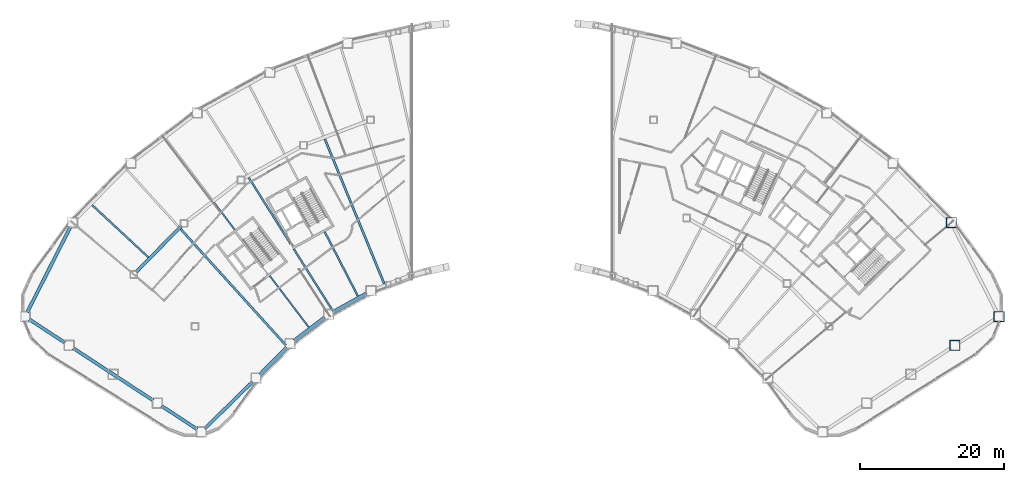
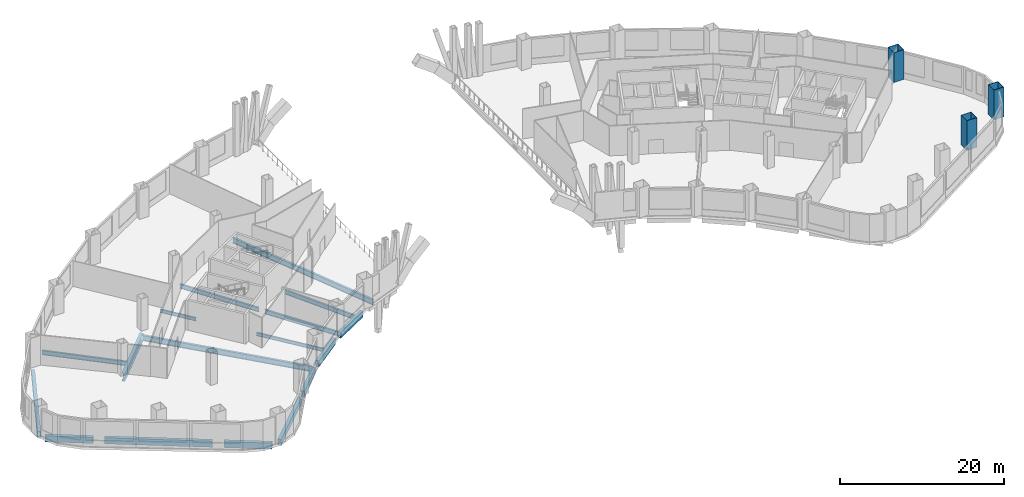
# One storey, part 2 of 14: 17 beams, 3 columns.
"""IFC4 building model written with IfcOpenShell, lengths in metres."""

from ifc_helpers import new_model, si_unit, direction, frame, origin, origin_2d, place, context, subcontext, project, spatial, hollow_rectangle, i_section, extrude, material, material_profile, profile_set, type_object, element, save


model = new_model("IFC4")

# Units and contexts
model_context = context("Model", 3, precision=1e-05, world=origin(), true_north=direction((0.0, 1.0)))
body_context = subcontext(model_context, "Body", "Model", "MODEL_VIEW")
ifc_project = project(units=[si_unit("LENGTHUNIT", "METRE"), si_unit("AREAUNIT", "SQUARE_METRE"), si_unit("VOLUMEUNIT", "CUBIC_METRE"), si_unit("PLANEANGLEUNIT", "RADIAN"), si_unit("MASSUNIT", "GRAM", prefix="KILO")], contexts=[model_context])

# Site, building, storey
site_placement = place(None, origin())
site = spatial("IfcSite", under=ifc_project, at=site_placement, CompositionType="ELEMENT")
building_placement = place(site_placement, origin())
building = spatial("IfcBuilding", under=site, at=building_placement, Name="Tuul Gate Civic Tower", CompositionType="ELEMENT")
storey_placement = place(building_placement, frame((0.0, 0.0, 17.10009765625)))
storey = spatial("IfcBuildingStorey", under=building, at=storey_placement, Name="Level 03", CompositionType="ELEMENT", Elevation=17.10009765625)

# Columns
ifc_material_1 = material(Name="Steel S355", Category="steel")
ifc_material_profile_1 = material_profile(ifc_material_1, hollow_rectangle(XDim=1.39990234375, YDim=1.39990234375, WallThickness=0.0400390625, at=origin_2d()), Name="BOX1400x1400x40")
ifc_profile_set_1 = profile_set([ifc_material_profile_1], Name="Steel S355")
column_type = type_object("IfcColumnType", Name="STR-COLUMN-BOX1400x1400x40", PredefinedType="COLUMN", material=ifc_profile_set_1)
for number, where, z_axis, x_axis, name in (
    (1, (67.56201171875, -21.366943359375, 0.0), (0.0, 0.0, 1.0), (1.0, 0.0, 0.0), "Column"),
    (2, (60.9609375, -8.327880859375, 0.0), (0.0, 0.0, 1.0), (1.0, 0.0, 0.0), "Column"),
    (3, (61.447021484375, -25.368896484375, 0.0), (0.0, 0.0, 1.0), (1.0, 0.0, 0.0), "Column"),
):
    element("IfcColumn", number, at=place(storey_placement, frame(where, z_axis=z_axis, x_axis=x_axis)), inside=storey, type_object=column_type, Name=name, PredefinedType="COLUMN", context=body_context, shape_type="SweptSolid", body=[
        extrude(hollow_rectangle(XDim=1.39990234375, YDim=1.39990234375, WallThickness=0.0400390625, at=origin_2d()), origin(), (0.0, 0.0, 1.0), 4.449951171875),
    ])

# Beams
ifc_material_2 = material(Name="Steel S355", Category="steel")
ifc_material_profile_2 = material_profile(ifc_material_2, i_section(OverallWidth=0.199951171875, OverallDepth=0.5, WebThickness=0.010009765625, FlangeThickness=0.01611328125, at=origin_2d()), Name="PG500x200x10x16")
ifc_profile_set_2 = profile_set([ifc_material_profile_2], Name="Steel S355")
beam_type_1 = type_object("IfcBeamType", Name="STR-FLOOR BEAM-PG500x200x10x16", PredefinedType="BEAM", material=ifc_profile_set_2)
beam_1_placement = place(storey_placement, frame((-28.20361328125, -22.83447265625, -0.60009765625), z_axis=(-0.604507057629, 0.796599784884, 0.0), x_axis=(-0.796599784884, -0.604507057629, 0.0)))
element("IfcBeam", 4, at=beam_1_placement, inside=storey, type_object=beam_type_1, Name="Floor beam", PredefinedType="BEAM", context=body_context, shape_type="SweptSolid", body=[
    extrude(i_section(OverallWidth=0.199951171875, OverallDepth=0.5, WebThickness=0.010009765625, FlangeThickness=0.01611328125, at=origin_2d()), origin(), (0.0, 0.0, 1.0), 8.951416015625),
])
beam_2_placement = place(storey_placement, frame((-38.45068359375, -9.3310546875, -0.60009765625), z_axis=(-0.604539816506, 0.796574924448, 0.0), x_axis=(-0.796574924448, -0.604539816506, 0.0)))
element("IfcBeam", 5, at=beam_2_placement, inside=storey, type_object=beam_type_1, Name="Floor beam", PredefinedType="BEAM", context=body_context, shape_type="SweptSolid", body=[
    extrude(i_section(OverallWidth=0.199951171875, OverallDepth=0.5, WebThickness=0.010009765625, FlangeThickness=0.01611328125, at=origin_2d()), origin(), (0.0, 0.0, 1.0), 4.77392578125),
])
ifc_material_3 = material(Name="Steel S355", Category="steel")
ifc_material_profile_3 = material_profile(ifc_material_3, i_section(OverallWidth=0.25, OverallDepth=0.64990234375, WebThickness=0.011962890625, FlangeThickness=0.02001953125, at=origin_2d()), Name="PG650x250x12x20")
ifc_profile_set_3 = profile_set([ifc_material_profile_3], Name="Steel S355")
beam_type_2 = type_object("IfcBeamType", Name="STR-FLOOR BEAM-PG650x250x12x20", PredefinedType="BEAM", material=ifc_profile_set_3)
beam_3_placement = place(storey_placement, frame((-21.390380859375, -18.512939453125, -0.675048828125), z_axis=(-0.458274716769, 0.88881060073, 0.0), x_axis=(-0.88881060073, -0.458274716769, 0.0)))
element("IfcBeam", 6, at=beam_3_placement, inside=storey, type_object=beam_type_2, Name="Floor beam", PredefinedType="BEAM", context=body_context, shape_type="SweptSolid", body=[
    extrude(i_section(OverallWidth=0.25, OverallDepth=0.64990234375, WebThickness=0.011962890625, FlangeThickness=0.02001953125, at=origin_2d()), origin(), (0.0, 0.0, 1.0), 10.03369140625),
])
beam_4_placement = place(storey_placement, frame((-24.9248046875, -20.47265625, -0.675048828125), z_axis=(-0.53338296173, 0.845873877204, 0.0), x_axis=(-0.845873877204, -0.53338296173, 0.0)))
element("IfcBeam", 7, at=beam_4_placement, inside=storey, type_object=beam_type_2, Name="Floor beam", PredefinedType="BEAM", context=body_context, shape_type="SweptSolid", body=[
    extrude(i_section(OverallWidth=0.25, OverallDepth=0.64990234375, WebThickness=0.011962890625, FlangeThickness=0.02001953125, at=origin_2d()), origin(), (0.0, 0.0, 1.0), 10.045654296875),
])
beam_5_placement = place(storey_placement, frame((-30.72509765625, -11.2744140625, -0.675048828125), z_axis=(-0.533383609524, 0.845873468724, 0.0), x_axis=(-0.845873468724, -0.533383609524, 0.0)))
element("IfcBeam", 8, at=beam_5_placement, inside=storey, type_object=beam_type_2, Name="Floor beam", PredefinedType="BEAM", context=body_context, shape_type="SweptSolid", body=[
    extrude(i_section(OverallWidth=0.25, OverallDepth=0.64990234375, WebThickness=0.011962890625, FlangeThickness=0.02001953125, at=origin_2d()), origin(), (0.0, 0.0, 1.0), 10.885498046875),
])
beam_6_placement = place(storey_placement, frame((-50.448974609375, -13.139404296875, -0.675048828125), z_axis=(-0.732685493637, 0.680567386387, 0.0), x_axis=(-0.680567386387, -0.732685493637, 0.0)))
element("IfcBeam", 9, at=beam_6_placement, inside=storey, type_object=beam_type_2, Name="Floor beam", PredefinedType="BEAM", context=body_context, shape_type="SweptSolid", body=[
    extrude(i_section(OverallWidth=0.25, OverallDepth=0.64990234375, WebThickness=0.011962890625, FlangeThickness=0.02001953125, at=origin_2d()), origin(), (0.0, 0.0, 1.0), 10.62890625),
])
ifc_material_4 = material(Name="Steel S355", Category="steel")
ifc_material_profile_4 = material_profile(ifc_material_4, i_section(OverallWidth=0.300048828125, OverallDepth=0.800048828125, WebThickness=0.013916015625, FlangeThickness=0.02490234375, at=origin_2d()), Name="PG800x300x14x25")
ifc_profile_set_4 = profile_set([ifc_material_profile_4], Name="Steel S355")
beam_type_3 = type_object("IfcBeamType", Name="STR-FLOOR BEAM-PG800x300x14x25", PredefinedType="BEAM", material=ifc_profile_set_4)
beam_7_placement = place(storey_placement, frame((-17.722900390625, -16.822021484375, -0.75), z_axis=(-0.379711671586, 0.925104884033, 0.0), x_axis=(-0.925104884033, -0.379711671586, 0.0)))
element("IfcBeam", 10, at=beam_7_placement, inside=storey, type_object=beam_type_3, Name="Floor beam", PredefinedType="BEAM", context=body_context, shape_type="SweptSolid", body=[
    extrude(i_section(OverallWidth=0.300048828125, OverallDepth=0.800048828125, WebThickness=0.013916015625, FlangeThickness=0.02490234375, at=origin_2d()), origin(), (0.0, 0.0, 1.0), 21.7333984375),
])
beam_8_placement = place(storey_placement, frame((-31.366455078125, -25.35009765625, -0.75), z_axis=(-0.671111274621, 0.741356632854, 0.0), x_axis=(-0.741356632854, -0.671111274621, 0.0)))
element("IfcBeam", 11, at=beam_8_placement, inside=storey, type_object=beam_type_3, Name="Floor beam", PredefinedType="BEAM", context=body_context, shape_type="SweptSolid", body=[
    extrude(i_section(OverallWidth=0.300048828125, OverallDepth=0.800048828125, WebThickness=0.013916015625, FlangeThickness=0.02490234375, at=origin_2d()), origin(), (0.0, 0.0, 1.0), 21.763916015625),
])
ifc_material_5 = material(Name="Steel S355", Category="steel")
ifc_material_profile_5 = material_profile(ifc_material_5, i_section(OverallWidth=0.449951171875, OverallDepth=1.199951171875, WebThickness=0.02001953125, FlangeThickness=0.0400390625, at=origin_2d()), Name="PG1200x450x20x40")
ifc_profile_set_5 = profile_set([ifc_material_profile_5], Name="Steel S355")
beam_type_4 = type_object("IfcBeamType", Name="STR-RING BEAM-PG1200x450x20x40", PredefinedType="BEAM", material=ifc_profile_set_5)
beam_9_placement = place(storey_placement, frame((-52.121337890625, -15.1669921875, -0.9501953125), z_axis=(0.700011333418, 0.714131733706, 0.0), x_axis=(-0.714131733706, 0.700011333418, 0.0)))
element("IfcBeam", 12, at=beam_9_placement, inside=storey, type_object=beam_type_4, Name="Ring girder", PredefinedType="BEAM", context=body_context, shape_type="SweptSolid", body=[
    extrude(i_section(OverallWidth=0.449951171875, OverallDepth=1.199951171875, WebThickness=0.02001953125, FlangeThickness=0.0400390625, at=origin_2d()), origin(), (0.0, 0.0, 1.0), 8.93896484375),
])
ifc_material_6 = material(Name="Steel S355", Category="steel")
ifc_material_profile_6 = material_profile(ifc_material_6, hollow_rectangle(XDim=0.449951171875, YDim=0.89990234375, WallThickness=0.02490234375, at=origin_2d()), Name="BOX900x450x25")
ifc_profile_set_6 = profile_set([ifc_material_profile_6], Name="Steel S355")
beam_type_5 = type_object("IfcBeamType", Name="STR-SPANDREL BEAM-BOX900x450x25", PredefinedType="BEAM", material=ifc_profile_set_6)
beam_10_placement = place(storey_placement, frame((-61.277099609375, -8.95263671875, -0.800048828125), z_axis=(-0.451678979782, -0.892180530623, 0.0), x_axis=(0.892180530623, -0.451678979782, 0.0)))
element("IfcBeam", 13, at=beam_10_placement, inside=storey, type_object=beam_type_5, Name="Spandrel beam", PredefinedType="BEAM", context=body_context, shape_type="SweptSolid", body=[
    extrude(hollow_rectangle(XDim=0.449951171875, YDim=0.89990234375, WallThickness=0.02490234375, at=origin_2d()), origin(), (0.0, 0.0, 1.0), 13.214599609375),
])
beam_11_placement = place(storey_placement, frame((-66.976318359375, -21.750244140625, -0.800048828125), z_axis=(0.836737319566, -0.547604472265, 0.0), x_axis=(0.547604472265, 0.836737319566, 0.0)))
element("IfcBeam", 14, at=beam_11_placement, inside=storey, type_object=beam_type_5, Name="Spandrel beam", PredefinedType="BEAM", context=body_context, shape_type="SweptSolid", body=[
    extrude(hollow_rectangle(XDim=0.449951171875, YDim=0.89990234375, WallThickness=0.02490234375, at=origin_2d()), origin(), (0.0, 0.0, 1.0), 5.908203125),
])
beam_12_placement = place(storey_placement, frame((-60.861328125, -25.752197265625, -0.800048828125), z_axis=(0.836741071493, -0.547598739294, 0.0), x_axis=(0.547598739294, 0.836741071493, 0.0)))
element("IfcBeam", 15, at=beam_12_placement, inside=storey, type_object=beam_type_5, Name="Spandrel beam", PredefinedType="BEAM", context=body_context, shape_type="SweptSolid", body=[
    extrude(hollow_rectangle(XDim=0.449951171875, YDim=0.89990234375, WallThickness=0.02490234375, at=origin_2d()), origin(), (0.0, 0.0, 1.0), 13.215087890625),
])
beam_13_placement = place(storey_placement, frame((-48.63232421875, -33.75537109375, -0.800048828125), z_axis=(0.836737319566, -0.547604472265, 0.0), x_axis=(0.547604472265, 0.836737319566, 0.0)))
element("IfcBeam", 16, at=beam_13_placement, inside=storey, type_object=beam_type_5, Name="Spandrel beam", PredefinedType="BEAM", context=body_context, shape_type="SweptSolid", body=[
    extrude(hollow_rectangle(XDim=0.449951171875, YDim=0.89990234375, WallThickness=0.02490234375, at=origin_2d()), origin(), (0.0, 0.0, 1.0), 5.908203125),
])
beam_14_placement = place(storey_placement, frame((-42.60302734375, -36.884033203125, -0.800048828125), z_axis=(0.714257932821, 0.699882565437, 0.0), x_axis=(-0.699882565437, 0.714257932821, 0.0)))
element("IfcBeam", 17, at=beam_14_placement, inside=storey, type_object=beam_type_5, Name="Spandrel beam", PredefinedType="BEAM", context=body_context, shape_type="SweptSolid", body=[
    extrude(hollow_rectangle(XDim=0.449951171875, YDim=0.89990234375, WallThickness=0.02490234375, at=origin_2d()), origin(), (0.0, 0.0, 1.0), 9.255859375),
])
beam_15_placement = place(storey_placement, frame((-35.001953125, -29.416015625, -0.800048828125), z_axis=(0.700007662648, 0.714135331876, 0.0), x_axis=(-0.714135331876, 0.700007662648, 0.0)))
element("IfcBeam", 18, at=beam_15_placement, inside=storey, type_object=beam_type_5, Name="Spandrel beam", PredefinedType="BEAM", context=body_context, shape_type="SweptSolid", body=[
    extrude(hollow_rectangle(XDim=0.449951171875, YDim=0.89990234375, WallThickness=0.02490234375, at=origin_2d()), origin(), (0.0, 0.0, 1.0), 5.322509765625),
])
beam_16_placement = place(storey_placement, frame((-30.22900390625, -24.69091796875, -0.800048828125), z_axis=(0.795624397763, 0.605790242315, 0.0), x_axis=(-0.605790242315, 0.795624397763, 0.0)))
element("IfcBeam", 19, at=beam_16_placement, inside=storey, type_object=beam_type_5, Name="Spandrel beam", PredefinedType="BEAM", context=body_context, shape_type="SweptSolid", body=[
    extrude(hollow_rectangle(XDim=0.449951171875, YDim=0.89990234375, WallThickness=0.02490234375, at=origin_2d()), origin(), (0.0, 0.0, 1.0), 5.32177734375),
])
beam_17_placement = place(storey_placement, frame((-24.82568359375, -20.70361328125, -0.800048828125), z_axis=(0.87456368019, 0.484910681769, 0.0), x_axis=(-0.484910681769, 0.87456368019, 0.0)))
element("IfcBeam", 20, at=beam_17_placement, inside=storey, type_object=beam_type_5, Name="Spandrel beam", PredefinedType="BEAM", context=body_context, shape_type="SweptSolid", body=[
    extrude(hollow_rectangle(XDim=0.449951171875, YDim=0.89990234375, WallThickness=0.02490234375, at=origin_2d()), origin(), (0.0, 0.0, 1.0), 5.3232421875),
])

save(model, "model.ifc")
